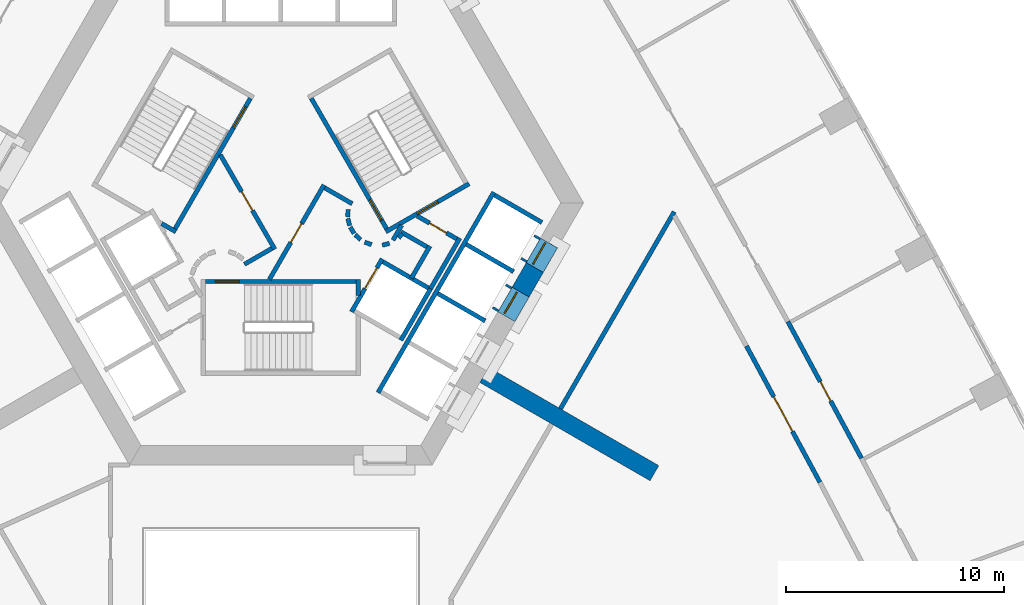
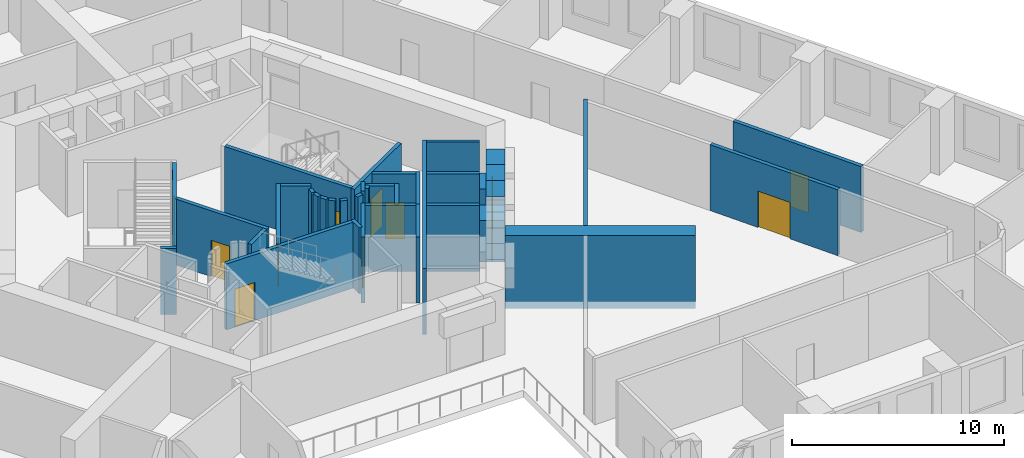
# One storey, part 7 of 16: 38 walls, 12 doors, 12 openings.
"""IFC4 building model written with IfcOpenShell, lengths in metres."""

from ifc_helpers import new_model, si_unit, direction, frame, frame_2d, origin, place, context, subcontext, project, spatial, polyline, rectangle, outline, extrude, material, layer, layer_set, type_object, element, fill, save


model = new_model("IFC4")

# Units and contexts
model_context = context("Model", 3, precision=1e-05, world=origin(), true_north=direction((0.0, 1.0)))
body_context = subcontext(model_context, "Body", "Model", "MODEL_VIEW")
ifc_project = project(units=[si_unit("LENGTHUNIT", "METRE"), si_unit("AREAUNIT", "SQUARE_METRE"), si_unit("VOLUMEUNIT", "CUBIC_METRE"), si_unit("PLANEANGLEUNIT", "RADIAN"), si_unit("MASSUNIT", "GRAM", prefix="KILO")], contexts=[model_context])

# Site, building, storey
site_placement = place(None, origin())
site = spatial("IfcSite", under=ifc_project, at=site_placement, CompositionType="ELEMENT")
building_placement = place(site_placement, origin())
building = spatial("IfcBuilding", under=site, at=building_placement, Name="Entoto Arch Interchange Tower", CompositionType="ELEMENT")
storey_placement = place(building_placement, frame((0.0, 0.0, 95.0)))
storey = spatial("IfcBuildingStorey", under=building, at=storey_placement, Name="L20", CompositionType="ELEMENT", Elevation=95.0)

# Walls
ifc_material_1 = material(Name="Concrete C60/75", Category="concrete")
ifc_layer_1 = layer(ifc_material_1, 0.800048828125)
ifc_layer_set_1 = layer_set([ifc_layer_1], Name="Concrete C60/75")
wall_type_1 = type_object("IfcWallType", Name="Buttress wall 800 C60/75", PredefinedType="SHEAR", material=ifc_layer_set_1)
wall_1_placement = place(storey_placement, frame((9.31005859375, -5.375, -0.39990234375), z_axis=(0.0, 0.0, 1.0), x_axis=(0.866017533419, -0.500013631625, 0.0)))
element("IfcWall", 1, at=wall_1_placement, inside=storey, type_object=wall_type_1, Name="Buttress wall SE L20", PredefinedType="SHEAR", context=body_context, shape_type="SweptSolid", body=[
    extrude(rectangle(XDim=8.999755859375, YDim=0.800048828125, at=frame_2d((4.5, 0.0))), origin(), (0.0, 0.0, 1.0), 4.199951171875),
])
ifc_layer_2 = layer(ifc_material_1, 0.89990234375)
ifc_layer_set_2 = layer_set([ifc_layer_2], Name="Concrete C60/75")
wall_type_2 = type_object("IfcWallType", Name="Core wall 900 C60/75", PredefinedType="SHEAR", material=ifc_layer_set_2)
wall_2_placement = place(storey_placement, frame((0.0, 0.0, -0.39990234375)))
element("IfcWall", 2, at=wall_2_placement, inside=storey, type_object=wall_type_2, Name="Core wall SE L20", PredefinedType="SHEAR", context=body_context, shape_type="SweptSolid", body=[
    extrude(outline(polyline([(12.01708984375, -0.68603515625), (11.238037109375, -0.236083984375), (10.587890625, -1.361083984375), (11.366943359375, -1.81103515625), (12.01708984375, -0.68603515625)])), origin(), (0.0, 0.0, 1.0), 4.199951171875),
])
wall_3_placement = place(storey_placement, frame((0.0, 0.0, 3.60009765625)))
element("IfcWall", 3, at=wall_3_placement, inside=storey, type_object=wall_type_2, Name="Core wall lintel SE L20", PredefinedType="SHEAR", context=body_context, shape_type="SweptSolid", body=[
    extrude(outline(polyline([(11.366943359375, -1.81103515625), (10.587890625, -1.361083984375), (9.93798828125, -2.487060546875), (10.717041015625, -2.93701171875), (11.366943359375, -1.81103515625)])), origin(), (0.0, 0.0, 1.0), 0.199951171875),
])
wall_4_placement = place(storey_placement, frame((0.0, 0.0, 3.60009765625)))
element("IfcWall", 4, at=wall_4_placement, inside=storey, type_object=wall_type_2, Name="Core wall lintel SE L20", PredefinedType="SHEAR", context=body_context, shape_type="SweptSolid", body=[
    extrude(outline(polyline([(12.6669921875, 0.43994140625), (11.887939453125, 0.889892578125), (11.238037109375, -0.236083984375), (12.01708984375, -0.68603515625), (12.6669921875, 0.43994140625)])), origin(), (0.0, 0.0, 1.0), 0.199951171875),
])

# Wall, opening, door
ifc_material_2 = material(Name="Concrete C40/50", Category="concrete")
ifc_layer_3 = layer(ifc_material_2, 1.199951171875)
ifc_layer_set_3 = layer_set([ifc_layer_3], Name="Concrete C40/50")
wall_type_3 = type_object("IfcWallType", Name="LIFT LANDING INFILL WALL", PredefinedType="STANDARD", material=ifc_layer_set_3)
wall_5_placement = place(storey_placement, frame((10.197998046875, -2.636962890625, 0.0), z_axis=(0.0, 0.0, 1.0), x_axis=(0.49989585183, 0.866085525409, 0.0)))
wall_5 = element("IfcWall", 5, at=wall_5_placement, inside=storey, type_object=wall_type_3, Name="Lift landing infill wall LR7 L20", PredefinedType="STANDARD", context=body_context, shape_type="SweptSolid", body=[
    extrude(rectangle(XDim=1.300048828125, YDim=1.199951171875, at=frame_2d((0.64990234375, 0.0))), origin(), (0.0, 0.0, 1.0), 2.39990234375),
])
opening_1_placement = place(wall_5_placement, frame((0.10009765625, 0.0, 0.0)))
opening_1 = element("IfcOpeningElement", 6, at=opening_1_placement, cuts=wall_5, Name="Opening LD-LR7-L20", PredefinedType="OPENING", context=body_context, shape_type="SweptSolid", body=[
    extrude(rectangle(XDim=1.10009765625, YDim=2.300048828125, at=frame_2d((0.550048828125, 1.14990234375))), frame((0.0, 0.60986328125, 0.0), z_axis=(0.0, -1.0, 0.0), x_axis=(1.0, 0.0, 0.0)), (0.0, 0.0, 1.0), 1.219970703125),
])
ifc_material_3 = material(Name="Stainless steel 1.4301 panels", Category="steel")
door_type_1 = type_object("IfcDoorType", Name="LIFT LANDING DOOR LD2 1100x2300", OperationType="SLIDING_TO_LEFT", PredefinedType="DOOR", material=ifc_material_3)
door_1_placement = place(opening_1_placement, origin())
door_1 = element("IfcDoor", 7, at=door_1_placement, inside=storey, type_object=door_type_1, Name="Lift landing door LR7 L20", OperationType="SLIDING_TO_LEFT", OverallHeight=2.300048828125, OverallWidth=1.10009765625, PredefinedType="DOOR", context=body_context, shape_type="SweptSolid", body=[
    extrude(rectangle(XDim=1.10009765625, YDim=2.300048828125, at=frame_2d((0.550048828125, 1.14990234375))), frame((0.0, 0.02490234375, 0.0), z_axis=(0.0, -1.0, 0.0), x_axis=(1.0, 0.0, 0.0)), (0.0, 0.0, 1.0), 0.050048828125),
])
fill(opening_1, door_1)

wall_6_placement = place(storey_placement, frame((11.498046875, -0.385009765625, 0.0), z_axis=(0.0, 0.0, 1.0), x_axis=(0.500221244143, 0.865897630733, 0.0)))
wall_6 = element("IfcWall", 8, at=wall_6_placement, inside=storey, type_object=wall_type_3, Name="Lift landing infill wall LR8 L20", PredefinedType="STANDARD", context=body_context, shape_type="SweptSolid", body=[
    extrude(rectangle(XDim=1.29931640625, YDim=1.199951171875, at=frame_2d((0.649658203125, 0.0))), origin(), (0.0, 0.0, 1.0), 2.39990234375),
])
opening_2_placement = place(wall_6_placement, frame((0.10009765625, 0.0, 0.0)))
opening_2 = element("IfcOpeningElement", 9, at=opening_2_placement, cuts=wall_6, Name="Opening LD-LR8-L20", PredefinedType="OPENING", context=body_context, shape_type="SweptSolid", body=[
    extrude(rectangle(XDim=1.10009765625, YDim=2.300048828125, at=frame_2d((0.550048828125, 1.14990234375))), frame((0.0, 0.60986328125, 0.0), z_axis=(0.0, -1.0, 0.0), x_axis=(1.0, 0.0, 0.0)), (0.0, 0.0, 1.0), 1.219970703125),
])
door_2_placement = place(opening_2_placement, origin())
door_2 = element("IfcDoor", 10, at=door_2_placement, inside=storey, type_object=door_type_1, Name="Lift landing door LR8 L20", OperationType="SLIDING_TO_LEFT", OverallHeight=2.300048828125, OverallWidth=1.10009765625, PredefinedType="DOOR", context=body_context, shape_type="SweptSolid", body=[
    extrude(rectangle(XDim=1.10009765625, YDim=2.300048828125, at=frame_2d((0.550048828125, 1.14990234375))), frame((0.0, 0.02490234375, 0.0), z_axis=(0.0, -1.0, 0.0), x_axis=(1.0, 0.0, 0.0)), (0.0, 0.0, 1.0), 0.050048828125),
])
fill(opening_2, door_2)

ifc_layer_4 = layer(ifc_material_2, 0.199951171875)
ifc_layer_set_4 = layer_set([ifc_layer_4], Name="Concrete C40/50")
wall_type_4 = type_object("IfcWallType", Name="LIFT SHAFT WALL 200", PredefinedType="STANDARD", material=ifc_layer_set_4)
wall_7_placement = place(storey_placement, frame((3.239990234375, -2.488037109375, 0.0), z_axis=(0.0, 0.0, 1.0), x_axis=(0.49994636267, 0.866056369097, 0.0)))
wall_7 = element("IfcWall", 11, at=wall_7_placement, inside=storey, type_object=wall_type_4, Name="Shaft wall SE1 front", PredefinedType="STANDARD", context=body_context, shape_type="SweptSolid", body=[
    extrude(rectangle(XDim=2.800048828125, YDim=0.199951171875, at=frame_2d((1.39990234375, 0.0))), origin(), (0.0, 0.0, 1.0), 3.800048828125),
])
opening_3_placement = place(wall_7_placement, frame((1.22509765625, 0.0, 0.0)))
opening_3 = element("IfcOpeningElement", 12, at=opening_3_placement, cuts=wall_7, Name="Opening LD-FF1-L20", PredefinedType="OPENING", context=body_context, shape_type="SweptSolid", body=[
    extrude(rectangle(XDim=1.10009765625, YDim=2.10009765625, at=frame_2d((0.550048828125, 1.050048828125))), frame((0.0, 0.10986328125, 0.0), z_axis=(0.0, -1.0, 0.0), x_axis=(1.0, 0.0, 0.0)), (0.0, 0.0, 1.0), 0.219970703125),
])
door_type_2 = type_object("IfcDoorType", Name="LIFT LANDING DOOR LD1 1100x2100", OperationType="SLIDING_TO_LEFT", PredefinedType="DOOR", material=ifc_material_3)
door_3_placement = place(opening_3_placement, origin())
door_3 = element("IfcDoor", 13, at=door_3_placement, inside=storey, type_object=door_type_2, Name="Lift landing door FF1 L20", OperationType="SLIDING_TO_LEFT", OverallHeight=2.10009765625, OverallWidth=1.10009765625, PredefinedType="DOOR", context=body_context, shape_type="SweptSolid", body=[
    extrude(rectangle(XDim=1.10009765625, YDim=2.10009765625, at=frame_2d((0.550048828125, 1.050048828125))), frame((0.0, 0.02490234375, 0.0), z_axis=(0.0, -1.0, 0.0), x_axis=(1.0, 0.0, 0.0)), (0.0, 0.0, 1.0), 0.050048828125),
])
fill(opening_3, door_3)

# Walls
wall_8_placement = place(storey_placement, frame((5.491943359375, -3.7880859375, 0.0), z_axis=(0.0, 0.0, 1.0), x_axis=(0.500011755427, 0.866018616679, 0.0)))
element("IfcWall", 14, at=wall_8_placement, inside=storey, type_object=wall_type_4, Name="Shaft wall SE1 back", PredefinedType="STANDARD", context=body_context, shape_type="SweptSolid", body=[
    extrude(rectangle(XDim=2.80029296875, YDim=0.199951171875, at=frame_2d((1.400146484375, 0.0))), origin(), (0.0, 0.0, 1.0), 3.800048828125),
])
wall_9_placement = place(storey_placement, frame((4.677001953125, -0.199951171875, 0.0), z_axis=(0.0, 0.0, 1.0), x_axis=(0.865973769406, -0.500089422704, 0.0)))
element("IfcWall", 15, at=wall_9_placement, inside=storey, type_object=wall_type_4, Name="Shaft wall SE1 cross 2", PredefinedType="STANDARD", context=body_context, shape_type="SweptSolid", body=[
    extrude(rectangle(XDim=2.3994140625, YDim=0.199951171875, at=frame_2d((1.19970703125, 0.0))), origin(), (0.0, 0.0, 1.0), 3.800048828125),
])
wall_10_placement = place(storey_placement, frame((4.450927734375, -6.18994140625, 0.0), z_axis=(0.0, 0.0, 1.0), x_axis=(0.50000090737, 0.866024879913, 0.0)))
element("IfcWall", 16, at=wall_10_placement, inside=storey, type_object=wall_type_4, Name="Shaft wall SE3 front", PredefinedType="STANDARD", context=body_context, shape_type="SweptSolid", body=[
    extrude(rectangle(XDim=10.60009765625, YDim=0.199951171875, at=frame_2d((5.300048828125, 0.0))), origin(), (0.0, 0.0, 1.0), 3.800048828125),
])
for number, where, z_axis, x_axis, name in (
    (17, (7.18798828125, -1.64990234375, 0.0), (0.0, 0.0, 1.0), (0.866022959057, -0.500004234368, 0.0), "Shaft wall SE3 cross 3"),
    (18, (8.488037109375, 0.60205078125, 0.0), (0.0, 0.0, 1.0), (0.866022959057, -0.500004234368, 0.0), "Shaft wall SE3 cross 4"),
):
    element("IfcWall", number, at=place(storey_placement, frame(where, z_axis=z_axis, x_axis=x_axis)), inside=storey, type_object=wall_type_4, Name=name, PredefinedType="STANDARD", context=body_context, shape_type="SweptSolid", body=[
        extrude(rectangle(XDim=2.5, YDim=0.199951171875, at=frame_2d((1.25, 0.0))), origin(), (0.0, 0.0, 1.0), 3.800048828125),
    ])
wall_11_placement = place(storey_placement, frame((9.7880859375, 2.85302734375, 0.0), z_axis=(0.0, 0.0, 1.0), x_axis=(0.865998541277, -0.500046524342, 0.0)))
element("IfcWall", 19, at=wall_11_placement, inside=storey, type_object=wall_type_4, Name="Shaft wall SE3 cross 5", PredefinedType="STANDARD", context=body_context, shape_type="SweptSolid", body=[
    extrude(rectangle(XDim=2.499755859375, YDim=0.199951171875, at=frame_2d((1.25, 0.0))), origin(), (0.0, 0.0, 1.0), 3.800048828125),
])

# Wall, opening, door
ifc_material_4 = material(Name="Gypsum board partition on steel studs", Category="steel")
ifc_layer_5 = layer(ifc_material_4, 0.199951171875)
ifc_layer_set_5 = layer_set([ifc_layer_5], Name="Gypsum board partition on steel studs")
wall_type_5 = type_object("IfcWallType", Name="PARTITION 200", PredefinedType="PARTITIONING", material=ifc_layer_set_5)
wall_12_placement = place(storey_placement, frame((24.677978515625, -10.2900390625, 0.0), z_axis=(0.0, 0.0, 1.0), x_axis=(-0.474391588657, 0.880313932987, 0.0)))
wall_12 = element("IfcWall", 20, at=wall_12_placement, inside=storey, type_object=wall_type_5, Name="wall:L20:p017", PredefinedType="PARTITIONING", context=body_context, shape_type="SweptSolid", body=[
    extrude(rectangle(XDim=7.0849609375, YDim=0.199951171875, at=frame_2d((3.54248046875, 0.0))), origin(), (0.0, 0.0, 1.0), 3.800048828125),
])
opening_4_placement = place(wall_12_placement, frame((2.64208984375, 0.0, 0.0)))
opening_4 = element("IfcOpeningElement", 21, at=opening_4_placement, cuts=wall_12, Name="Opening L20-D23", PredefinedType="OPENING", context=body_context, shape_type="SweptSolid", body=[
    extrude(rectangle(XDim=1.800048828125, YDim=2.10009765625, at=frame_2d((0.89990234375, 1.050048828125))), frame((0.0, 0.10986328125, 0.0), z_axis=(0.0, -1.0, 0.0), x_axis=(1.0, 0.0, 0.0)), (0.0, 0.0, 1.0), 0.219970703125),
])
ifc_material_5 = material(Name="Timber door leaf in Steel S235 frame", Category="steel")
door_type_3 = type_object("IfcDoorType", Name="DOOR DD-18 1800x2100", OperationType="DOUBLE_DOOR_SINGLE_SWING", PredefinedType="DOOR", material=ifc_material_5)
door_4_placement = place(opening_4_placement, origin())
door_4 = element("IfcDoor", 22, at=door_4_placement, inside=storey, type_object=door_type_3, Name="door:L20:23", OperationType="DOUBLE_DOOR_SINGLE_SWING", OverallHeight=2.10009765625, OverallWidth=1.800048828125, PredefinedType="DOOR", context=body_context, shape_type="SweptSolid", body=[
    extrude(rectangle(XDim=1.800048828125, YDim=2.10009765625, at=frame_2d((0.89990234375, 1.050048828125))), frame((0.0, 0.02490234375, 0.0), z_axis=(0.0, -1.0, 0.0), x_axis=(1.0, 0.0, 0.0)), (0.0, 0.0, 1.0), 0.050048828125),
])
fill(opening_4, door_4)

wall_13_placement = place(storey_placement, frame((23.2119140625, -2.931884765625, 0.0), z_axis=(0.0, 0.0, 1.0), x_axis=(0.474404892994, -0.880306763295, 0.0)))
wall_13 = element("IfcWall", 23, at=wall_13_placement, inside=storey, type_object=wall_type_5, Name="wall:L20:p040", PredefinedType="PARTITIONING", context=body_context, shape_type="SweptSolid", body=[
    extrude(rectangle(XDim=7.110107421875, YDim=0.199951171875, at=frame_2d((3.55517578125, 0.0))), origin(), (0.0, 0.0, 1.0), 3.800048828125),
])
opening_5_placement = place(wall_13_placement, frame((3.1298828125, 0.0, 0.0)))
opening_5 = element("IfcOpeningElement", 24, at=opening_5_placement, cuts=wall_13, Name="Opening L20-D06", PredefinedType="OPENING", context=body_context, shape_type="SweptSolid", body=[
    extrude(rectangle(XDim=1.0, YDim=2.10009765625, at=frame_2d((0.5, 1.050048828125))), frame((0.0, 0.10986328125, 0.0), z_axis=(0.0, -1.0, 0.0), x_axis=(1.0, 0.0, 0.0)), (0.0, 0.0, 1.0), 0.219970703125),
])
door_type_4 = type_object("IfcDoorType", Name="DOOR DS-10 1000x2100", OperationType="SINGLE_SWING_LEFT", PredefinedType="DOOR", material=ifc_material_5)
door_5_placement = place(opening_5_placement, origin())
door_5 = element("IfcDoor", 25, at=door_5_placement, inside=storey, type_object=door_type_4, Name="door:L20:06", OperationType="SINGLE_SWING_LEFT", OverallHeight=2.10009765625, OverallWidth=1.0, PredefinedType="DOOR", context=body_context, shape_type="SweptSolid", body=[
    extrude(rectangle(XDim=1.0, YDim=2.10009765625, at=frame_2d((0.5, 1.050048828125))), frame((0.0, 0.02490234375, 0.0), z_axis=(0.0, -1.0, 0.0), x_axis=(1.0, 0.0, 0.0)), (0.0, 0.0, 1.0), 0.050048828125),
])
fill(opening_5, door_5)

# Walls
wall_14_placement = place(storey_placement, frame((5.389892578125, 0.89794921875, 0.0), z_axis=(0.0, 0.0, 1.0), x_axis=(0.673828488714, 0.738887791073, 0.0)))
element("IfcWall", 26, at=wall_14_placement, inside=storey, type_object=wall_type_5, Name="wall:L20:p066", PredefinedType="PARTITIONING", context=body_context, shape_type="SweptSolid", body=[
    extrude(rectangle(XDim=0.2626953125, YDim=0.199951171875, at=frame_2d((0.13134765625, 0.0))), origin(), (0.0, 0.0, 1.0), 3.800048828125),
])
wall_15_placement = place(storey_placement, frame((5.4990234375, 1.172119140625, 0.0), z_axis=(0.0, 0.0, 1.0), x_axis=(0.866333505267, -0.499465972466, 0.0)))
element("IfcWall", 27, at=wall_15_placement, inside=storey, type_object=wall_type_5, Name="wall:L20:p067", PredefinedType="PARTITIONING", context=body_context, shape_type="SweptSolid", body=[
    extrude(rectangle(XDim=1.37353515625, YDim=0.199951171875, at=frame_2d((0.686767578125, 0.0))), origin(), (0.0, 0.0, 1.0), 3.800048828125),
])
wall_16_placement = place(storey_placement, frame((6.825927734375, 0.52197265625, 0.0), z_axis=(0.0, 0.0, 1.0), x_axis=(-0.500016722714, -0.866015748706, 0.0)))
element("IfcWall", 28, at=wall_16_placement, inside=storey, type_object=wall_type_5, Name="wall:L20:p068", PredefinedType="PARTITIONING", context=body_context, shape_type="SweptSolid", body=[
    extrude(rectangle(XDim=1.69970703125, YDim=0.199951171875, at=frame_2d((0.849853515625, 0.0))), origin(), (0.0, 0.0, 1.0), 3.800048828125),
])

# Wall, opening, door
wall_17_placement = place(storey_placement, frame((6.25, 1.89404296875, 0.0), z_axis=(0.0, 0.0, 1.0), x_axis=(0.866043184279, -0.499969202016, 0.0)))
wall_17 = element("IfcWall", 29, at=wall_17_placement, inside=storey, type_object=wall_type_5, Name="wall:L20:p069", PredefinedType="PARTITIONING", context=body_context, shape_type="SweptSolid", body=[
    extrude(rectangle(XDim=2.084228515625, YDim=0.199951171875, at=frame_2d((1.0419921875, 0.0))), origin(), (0.0, 0.0, 1.0), 3.800048828125),
])
opening_6_placement = place(wall_17_placement, frame((0.64208984375, 0.0, 0.0)))
opening_6 = element("IfcOpeningElement", 30, at=opening_6_placement, cuts=wall_17, Name="Opening L20-D34", PredefinedType="OPENING", context=body_context, shape_type="SweptSolid", body=[
    extrude(rectangle(XDim=0.89990234375, YDim=2.10009765625, at=frame_2d((0.449951171875, 1.050048828125))), frame((0.0, 0.10986328125, 0.0), z_axis=(0.0, -1.0, 0.0), x_axis=(1.0, 0.0, 0.0)), (0.0, 0.0, 1.0), 0.219970703125),
])
door_type_5 = type_object("IfcDoorType", Name="DOOR DS-09 900x2100", OperationType="SINGLE_SWING_LEFT", PredefinedType="DOOR", material=ifc_material_5)
door_6_placement = place(opening_6_placement, origin())
door_6 = element("IfcDoor", 31, at=door_6_placement, inside=storey, type_object=door_type_5, Name="door:L20:34", OperationType="SINGLE_SWING_LEFT", OverallHeight=2.10009765625, OverallWidth=0.89990234375, PredefinedType="DOOR", context=body_context, shape_type="SweptSolid", body=[
    extrude(rectangle(XDim=0.89990234375, YDim=2.10009765625, at=frame_2d((0.449951171875, 1.050048828125))), frame((0.0, 0.02490234375, 0.0), z_axis=(0.0, -1.0, 0.0), x_axis=(1.0, 0.0, 0.0)), (0.0, 0.0, 1.0), 0.050048828125),
])
fill(opening_6, door_6)

# Walls
wall_18_placement = place(storey_placement, frame((8.19189453125, 0.887939453125, 0.0), z_axis=(0.0, 0.0, 1.0), x_axis=(-0.499940625693, -0.866059680843, 0.0)))
element("IfcWall", 32, at=wall_18_placement, inside=storey, type_object=wall_type_5, Name="wall:L20:p070", PredefinedType="PARTITIONING", context=body_context, shape_type="SweptSolid", body=[
    extrude(rectangle(XDim=2.679931640625, YDim=0.199951171875, at=frame_2d((1.33984375, 0.0))), origin(), (0.0, 0.0, 1.0), 3.800048828125),
])
wall_19_placement = place(storey_placement, frame((5.135009765625, 0.79296875, 0.0), z_axis=(0.0, 0.0, 1.0), x_axis=(0.499526442893, 0.866298639529, 0.0)))
element("IfcWall", 33, at=wall_19_placement, inside=storey, type_object=wall_type_5, Name="wall:L20:p071", PredefinedType="PARTITIONING", context=body_context, shape_type="SweptSolid", body=[
    extrude(rectangle(XDim=0.790771484375, YDim=0.199951171875, at=frame_2d((0.3955078125, 0.0))), origin(), (0.0, 0.0, 1.0), 3.800048828125),
])

# Wall, opening, door
wall_20_placement = place(storey_placement, frame((-0.52001953125, -1.0, 0.0), z_axis=(0.0, 0.0, 1.0), x_axis=(0.50011622646, 0.865958290007, 0.0)))
wall_20 = element("IfcWall", 34, at=wall_20_placement, inside=storey, type_object=wall_type_5, Name="wall:L20:p077", PredefinedType="PARTITIONING", context=body_context, shape_type="SweptSolid", body=[
    extrude(rectangle(XDim=4.990966796875, YDim=0.199951171875, at=frame_2d((2.49560546875, 0.0))), origin(), (0.0, 0.0, 1.0), 3.800048828125),
])
opening_7_placement = place(wall_20_placement, frame((1.945068359375, 0.0, 0.0)))
opening_7 = element("IfcOpeningElement", 35, at=opening_7_placement, cuts=wall_20, Name="Opening L20-D32", PredefinedType="OPENING", context=body_context, shape_type="SweptSolid", body=[
    extrude(rectangle(XDim=1.0, YDim=2.10009765625, at=frame_2d((0.5, 1.050048828125))), frame((0.0, 0.10986328125, 0.0), z_axis=(0.0, -1.0, 0.0), x_axis=(1.0, 0.0, 0.0)), (0.0, 0.0, 1.0), 0.219970703125),
])
ifc_material_6 = material(Name="Fire-rated Steel S235 door and frame", Category="steel")
door_type_6 = type_object("IfcDoorType", Name="DOOR FD-10 1000x2100", OperationType="SINGLE_SWING_LEFT", PredefinedType="DOOR", material=ifc_material_6)
door_7_placement = place(opening_7_placement, origin())
door_7 = element("IfcDoor", 36, at=door_7_placement, inside=storey, type_object=door_type_6, Name="door:L20:32", OperationType="SINGLE_SWING_LEFT", OverallHeight=2.10009765625, OverallWidth=1.0, PredefinedType="DOOR", context=body_context, shape_type="SweptSolid", body=[
    extrude(rectangle(XDim=1.0, YDim=2.10009765625, at=frame_2d((0.5, 1.050048828125))), frame((0.0, 0.02490234375, 0.0), z_axis=(0.0, -1.0, 0.0), x_axis=(1.0, 0.0, 0.0)), (0.0, 0.0, 1.0), 0.050048828125),
])
fill(opening_7, door_7)

# Walls
wall_21_placement = place(storey_placement, frame((2.011962890625, 3.18603515625, 0.0), z_axis=(0.0, 0.0, 1.0), x_axis=(0.865891012941, -0.500232699559, 0.0)))
element("IfcWall", 37, at=wall_21_placement, inside=storey, type_object=wall_type_5, Name="wall:L20:p078", PredefinedType="PARTITIONING", context=body_context, shape_type="SweptSolid", body=[
    extrude(rectangle(XDim=1.449462890625, YDim=0.199951171875, at=frame_2d((0.724609375, 0.0))), origin(), (0.0, 0.0, 1.0), 3.800048828125),
])
wall_22_placement = place(storey_placement, frame((3.0791015625, 2.198974609375, 0.0), z_axis=(0.0, 0.0, 1.0), x_axis=(-0.047771483479, -0.998858290933, 0.0)))
element("IfcWall", 38, at=wall_22_placement, inside=storey, type_object=wall_type_5, Name="wall:L20:p079", PredefinedType="PARTITIONING", context=body_context, shape_type="SweptSolid", body=[
    extrude(rectangle(XDim=0.33740234375, YDim=0.199951171875, at=frame_2d((0.168701171875, 0.0))), origin(), (0.0, 0.0, 1.0), 3.800048828125),
])
wall_23_placement = place(storey_placement, frame((3.070068359375, 1.785888671875, 0.0), z_axis=(0.0, 0.0, 1.0), x_axis=(0.242705583207, -0.970099994784, 0.0)))
element("IfcWall", 39, at=wall_23_placement, inside=storey, type_object=wall_type_5, Name="wall:L20:p080", PredefinedType="PARTITIONING", context=body_context, shape_type="SweptSolid", body=[
    extrude(rectangle(XDim=0.337890625, YDim=0.199951171875, at=frame_2d((0.1689453125, 0.0))), origin(), (0.0, 0.0, 1.0), 3.800048828125),
])
for number, where, z_axis, x_axis, name in (
    (40, (3.181884765625, 1.387939453125, 0.0), (0.0, 0.0, 1.0), (0.512474702713, -0.85870232274, 0.0), "wall:L20:p081"),
    (41, (3.404052734375, 1.0390625, 0.0), (0.0, 0.0, 1.0), (0.740267097712, -0.672312891476, 0.0), "wall:L20:p082"),
):
    element("IfcWall", number, at=place(storey_placement, frame(where, z_axis=z_axis, x_axis=x_axis)), inside=storey, type_object=wall_type_5, Name=name, PredefinedType="PARTITIONING", context=body_context, shape_type="SweptSolid", body=[
        extrude(rectangle(XDim=0.337646484375, YDim=0.199951171875, at=frame_2d((0.1689453125, 0.0))), origin(), (0.0, 0.0, 1.0), 3.800048828125),
    ])
wall_24_placement = place(storey_placement, frame((3.837890625, 0.701904296875, 0.0), z_axis=(0.0, 0.0, 1.0), x_axis=(0.941035081519, -0.338308993895, 0.0)))
element("IfcWall", 42, at=wall_24_placement, inside=storey, type_object=wall_type_5, Name="wall:L20:p083", PredefinedType="PARTITIONING", context=body_context, shape_type="SweptSolid", body=[
    extrude(rectangle(XDim=0.3369140625, YDim=0.199951171875, at=frame_2d((0.16845703125, 0.0))), origin(), (0.0, 0.0, 1.0), 3.800048828125),
])
wall_25_placement = place(storey_placement, frame((4.64404296875, 0.56396484375, 0.0), z_axis=(0.0, 0.0, 1.0), x_axis=(0.969929076366, 0.243387729394, 0.0)))
element("IfcWall", 43, at=wall_25_placement, inside=storey, type_object=wall_type_5, Name="wall:L20:p084", PredefinedType="PARTITIONING", context=body_context, shape_type="SweptSolid", body=[
    extrude(rectangle(XDim=0.337158203125, YDim=0.199951171875, at=frame_2d((0.16845703125, 0.0))), origin(), (0.0, 0.0, 1.0), 3.800048828125),
])

# Wall, opening, door
wall_26_placement = place(storey_placement, frame((-2.77099609375, 4.699951171875, 0.0), z_axis=(0.0, 0.0, 1.0), x_axis=(0.499969479948, -0.866043023828, 0.0)))
wall_26 = element("IfcWall", 44, at=wall_26_placement, inside=storey, type_object=wall_type_5, Name="wall:L20:p085", PredefinedType="PARTITIONING", context=body_context, shape_type="SweptSolid", body=[
    extrude(rectangle(XDim=4.990478515625, YDim=0.199951171875, at=frame_2d((2.4951171875, 0.0))), origin(), (0.0, 0.0, 1.0), 3.800048828125),
])
opening_8_placement = place(wall_26_placement, frame((1.945068359375, 0.0, 0.0)))
opening_8 = element("IfcOpeningElement", 45, at=opening_8_placement, cuts=wall_26, Name="Opening L20-D33", PredefinedType="OPENING", context=body_context, shape_type="SweptSolid", body=[
    extrude(rectangle(XDim=1.0, YDim=2.10009765625, at=frame_2d((0.5, 1.050048828125))), frame((0.0, 0.10986328125, 0.0), z_axis=(0.0, -1.0, 0.0), x_axis=(1.0, 0.0, 0.0)), (0.0, 0.0, 1.0), 0.219970703125),
])
door_8_placement = place(opening_8_placement, origin())
door_8 = element("IfcDoor", 46, at=door_8_placement, inside=storey, type_object=door_type_6, Name="door:L20:33", OperationType="SINGLE_SWING_RIGHT", OverallHeight=2.10009765625, OverallWidth=1.0, PredefinedType="DOOR", context=body_context, shape_type="SweptSolid", body=[
    extrude(rectangle(XDim=1.0, YDim=2.10009765625, at=frame_2d((0.5, 1.050048828125))), frame((0.0, 0.02490234375, 0.0), z_axis=(0.0, -1.0, 0.0), x_axis=(1.0, 0.0, 0.0)), (0.0, 0.0, 1.0), 0.050048828125),
])
fill(opening_8, door_8)

# Walls
wall_27_placement = place(storey_placement, frame((-0.412109375, 0.4140625, 0.0), z_axis=(0.0, 0.0, 1.0), x_axis=(-0.866017369001, -0.500013916395, 0.0)))
element("IfcWall", 47, at=wall_27_placement, inside=storey, type_object=wall_type_5, Name="wall:L20:p086", PredefinedType="PARTITIONING", context=body_context, shape_type="SweptSolid", body=[
    extrude(rectangle(XDim=1.4501953125, YDim=0.199951171875, at=frame_2d((0.72509765625, 0.0))), origin(), (0.0, 0.0, 1.0), 3.800048828125),
])
wall_28_placement = place(storey_placement, frame((18.009033203125, 2.092041015625, 0.0), z_axis=(0.0, 0.0, 1.0), x_axis=(-0.499980796252, -0.866036490789, 0.0)))
element("IfcWall", 48, at=wall_28_placement, inside=storey, type_object=wall_type_5, Name="wall:L20:p102", PredefinedType="PARTITIONING", context=body_context, shape_type="SweptSolid", body=[
    extrude(rectangle(XDim=10.41650390625, YDim=0.199951171875, at=frame_2d((5.208251953125, 0.0))), origin(), (0.0, 0.0, 1.0), 3.800048828125),
])
ifc_layer_6 = layer(ifc_material_2, 0.199951171875)
ifc_layer_set_6 = layer_set([ifc_layer_6], Name="Concrete C40/50")
wall_type_6 = type_object("IfcWallType", Name="STAIR ENCLOSURE WALL 200", PredefinedType="STANDARD", material=ifc_layer_set_6)
wall_29_placement = place(storey_placement, frame((3.550048828125, -1.0, 0.0), z_axis=(0.0, 0.0, 1.0), x_axis=(0.0, -1.0, 0.0)))
element("IfcWall", 49, at=wall_29_placement, inside=storey, type_object=wall_type_6, Name="Stair wall ST-S far return", PredefinedType="STANDARD", context=body_context, shape_type="SweptSolid", body=[
    extrude(rectangle(XDim=0.7509765625, YDim=0.199951171875, at=frame_2d((0.37548828125, 0.0))), origin(), (0.0, 0.0, 1.0), 3.800048828125),
])

# Wall, opening, door
wall_30_placement = place(storey_placement, frame((-3.449951171875, -1.10009765625, 0.0), z_axis=(0.0, 0.0, 1.0), x_axis=(1.0, 0.0, 0.0)))
wall_30 = element("IfcWall", 50, at=wall_30_placement, inside=storey, type_object=wall_type_6, Name="Stair wall ST-S hall", PredefinedType="STANDARD", context=body_context, shape_type="SweptSolid", body=[
    extrude(rectangle(XDim=6.89990234375, YDim=0.199951171875, at=frame_2d((3.449951171875, 0.0))), origin(), (0.0, 0.0, 1.0), 3.800048828125),
])
opening_9_placement = place(wall_30_placement, frame((0.449951171875, 0.0, 0.0)))
opening_9 = element("IfcOpeningElement", 51, at=opening_9_placement, cuts=wall_30, Name="Opening SD-ST-S-L20", PredefinedType="OPENING", context=body_context, shape_type="SweptSolid", body=[
    extrude(rectangle(XDim=1.10009765625, YDim=2.199951171875, at=frame_2d((0.550048828125, 1.10009765625))), frame((0.0, 0.10986328125, 0.0), z_axis=(0.0, -1.0, 0.0), x_axis=(1.0, 0.0, 0.0)), (0.0, 0.0, 1.0), 0.219970703125),
])
ifc_material_7 = material(Name="Steel S235", Category="steel")
door_type_7 = type_object("IfcDoorType", Name="STAIR DOOR SD1 1100x2200", OperationType="SINGLE_SWING_LEFT", PredefinedType="DOOR", material=ifc_material_7)
door_9_placement = place(opening_9_placement, origin())
door_9 = element("IfcDoor", 52, at=door_9_placement, inside=storey, type_object=door_type_7, Name="Stair door ST-S L20", OperationType="SINGLE_SWING_LEFT", OverallHeight=2.199951171875, OverallWidth=1.10009765625, PredefinedType="DOOR", context=body_context, shape_type="SweptSolid", body=[
    extrude(rectangle(XDim=1.10009765625, YDim=2.199951171875, at=frame_2d((0.550048828125, 1.10009765625))), frame((0.0, 0.02490234375, 0.0), z_axis=(0.0, -1.0, 0.0), x_axis=(1.0, 0.0, 0.0)), (0.0, 0.0, 1.0), 0.050048828125),
])
fill(opening_9, door_9)

wall_31_placement = place(storey_placement, frame((4.805908203125, 1.176025390625, 0.0), z_axis=(0.0, 0.0, 1.0), x_axis=(0.866059941101, 0.499940174841, 0.0)))
wall_31 = element("IfcWall", 53, at=wall_31_placement, inside=storey, type_object=wall_type_6, Name="Stair wall ST-NE near", PredefinedType="STANDARD", context=body_context, shape_type="SweptSolid", body=[
    extrude(rectangle(XDim=4.400390625, YDim=0.199951171875, at=frame_2d((2.2001953125, 0.0))), origin(), (0.0, 0.0, 1.0), 3.800048828125),
])
opening_10_placement = place(wall_31_placement, frame((1.64990234375, 0.0, 0.0)))
opening_10 = element("IfcOpeningElement", 54, at=opening_10_placement, cuts=wall_31, Name="Opening SD-ST-NE-L20-E", PredefinedType="OPENING", context=body_context, shape_type="SweptSolid", body=[
    extrude(rectangle(XDim=1.10009765625, YDim=2.199951171875, at=frame_2d((0.550048828125, 1.10009765625))), frame((0.0, 0.10986328125, 0.0), z_axis=(0.0, -1.0, 0.0), x_axis=(1.0, 0.0, 0.0)), (0.0, 0.0, 1.0), 0.219970703125),
])
door_10_placement = place(opening_10_placement, origin())
door_10 = element("IfcDoor", 55, at=door_10_placement, inside=storey, type_object=door_type_7, Name="Stair door ST-NE L20 end", OperationType="SINGLE_SWING_LEFT", OverallHeight=2.199951171875, OverallWidth=1.10009765625, PredefinedType="DOOR", context=body_context, shape_type="SweptSolid", body=[
    extrude(rectangle(XDim=1.10009765625, YDim=2.199951171875, at=frame_2d((0.550048828125, 1.10009765625))), frame((0.0, 0.02490234375, 0.0), z_axis=(0.0, -1.0, 0.0), x_axis=(1.0, 0.0, 0.0)), (0.0, 0.0, 1.0), 0.050048828125),
])
fill(opening_10, door_10)

wall_32_placement = place(storey_placement, frame((4.843017578125, 1.31201171875, 0.0), z_axis=(0.0, 0.0, 1.0), x_axis=(-0.499963383562, 0.866046543262, 0.0)))
wall_32 = element("IfcWall", 56, at=wall_32_placement, inside=storey, type_object=wall_type_6, Name="Stair wall ST-NE hall", PredefinedType="STANDARD", context=body_context, shape_type="SweptSolid", body=[
    extrude(rectangle(XDim=6.900390625, YDim=0.199951171875, at=frame_2d((3.4501953125, 0.0))), origin(), (0.0, 0.0, 1.0), 3.800048828125),
])
opening_11_placement = place(wall_32_placement, frame((0.449951171875, 0.0, 0.0)))
opening_11 = element("IfcOpeningElement", 57, at=opening_11_placement, cuts=wall_32, Name="Opening SD-ST-NE-L20", PredefinedType="OPENING", context=body_context, shape_type="SweptSolid", body=[
    extrude(rectangle(XDim=1.10009765625, YDim=2.199951171875, at=frame_2d((0.550048828125, 1.10009765625))), frame((0.0, 0.10986328125, 0.0), z_axis=(0.0, -1.0, 0.0), x_axis=(1.0, 0.0, 0.0)), (0.0, 0.0, 1.0), 0.219970703125),
])
door_11_placement = place(opening_11_placement, origin())
door_11 = element("IfcDoor", 58, at=door_11_placement, inside=storey, type_object=door_type_7, Name="Stair door ST-NE L20", OperationType="SINGLE_SWING_LEFT", OverallHeight=2.199951171875, OverallWidth=1.10009765625, PredefinedType="DOOR", context=body_context, shape_type="SweptSolid", body=[
    extrude(rectangle(XDim=1.10009765625, YDim=2.199951171875, at=frame_2d((0.550048828125, 1.10009765625))), frame((0.0, 0.02490234375, 0.0), z_axis=(0.0, -1.0, 0.0), x_axis=(1.0, 0.0, 0.0)), (0.0, 0.0, 1.0), 0.050048828125),
])
fill(opening_11, door_11)

# Wall
wall_33_placement = place(storey_placement, frame((-4.805908203125, 1.176025390625, 0.0), z_axis=(0.0, 0.0, 1.0), x_axis=(-0.866558586415, 0.499075361355, 0.0)))
element("IfcWall", 59, at=wall_33_placement, inside=storey, type_object=wall_type_6, Name="Stair wall ST-NW far return", PredefinedType="STANDARD", context=body_context, shape_type="SweptSolid", body=[
    extrude(rectangle(XDim=0.75146484375, YDim=0.199951171875, at=frame_2d((0.375732421875, 0.0))), origin(), (0.0, 0.0, 1.0), 3.800048828125),
])

# Wall, opening, door
wall_34_placement = place(storey_placement, frame((-1.39306640625, 7.2880859375, 0.0), z_axis=(0.0, 0.0, 1.0), x_axis=(-0.499963383562, -0.866046543262, 0.0)))
wall_34 = element("IfcWall", 60, at=wall_34_placement, inside=storey, type_object=wall_type_6, Name="Stair wall ST-NW hall", PredefinedType="STANDARD", context=body_context, shape_type="SweptSolid", body=[
    extrude(rectangle(XDim=6.900390625, YDim=0.199951171875, at=frame_2d((3.4501953125, 0.0))), origin(), (0.0, 0.0, 1.0), 3.800048828125),
])
opening_12_placement = place(wall_34_placement, frame((0.449951171875, 0.0, 0.0)))
opening_12 = element("IfcOpeningElement", 61, at=opening_12_placement, cuts=wall_34, Name="Opening SD-ST-NW-L20", PredefinedType="OPENING", context=body_context, shape_type="SweptSolid", body=[
    extrude(rectangle(XDim=1.10009765625, YDim=2.199951171875, at=frame_2d((0.550048828125, 1.10009765625))), frame((0.0, 0.10986328125, 0.0), z_axis=(0.0, -1.0, 0.0), x_axis=(1.0, 0.0, 0.0)), (0.0, 0.0, 1.0), 0.219970703125),
])
door_12_placement = place(opening_12_placement, origin())
door_12 = element("IfcDoor", 62, at=door_12_placement, inside=storey, type_object=door_type_7, Name="Stair door ST-NW L20", OperationType="SINGLE_SWING_LEFT", OverallHeight=2.199951171875, OverallWidth=1.10009765625, PredefinedType="DOOR", context=body_context, shape_type="SweptSolid", body=[
    extrude(rectangle(XDim=1.10009765625, YDim=2.199951171875, at=frame_2d((0.550048828125, 1.10009765625))), frame((0.0, 0.02490234375, 0.0), z_axis=(0.0, -1.0, 0.0), x_axis=(1.0, 0.0, 0.0)), (0.0, 0.0, 1.0), 0.050048828125),
])
fill(opening_12, door_12)

save(model, "model.ifc")
